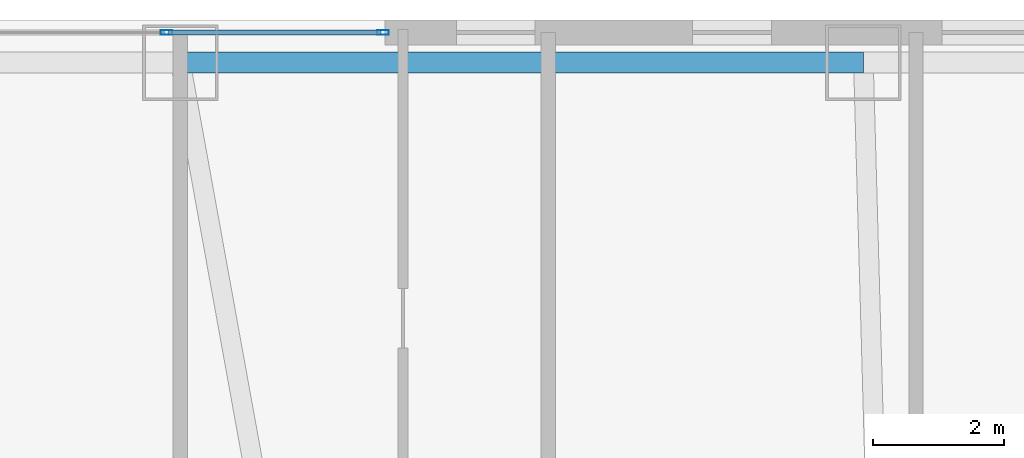
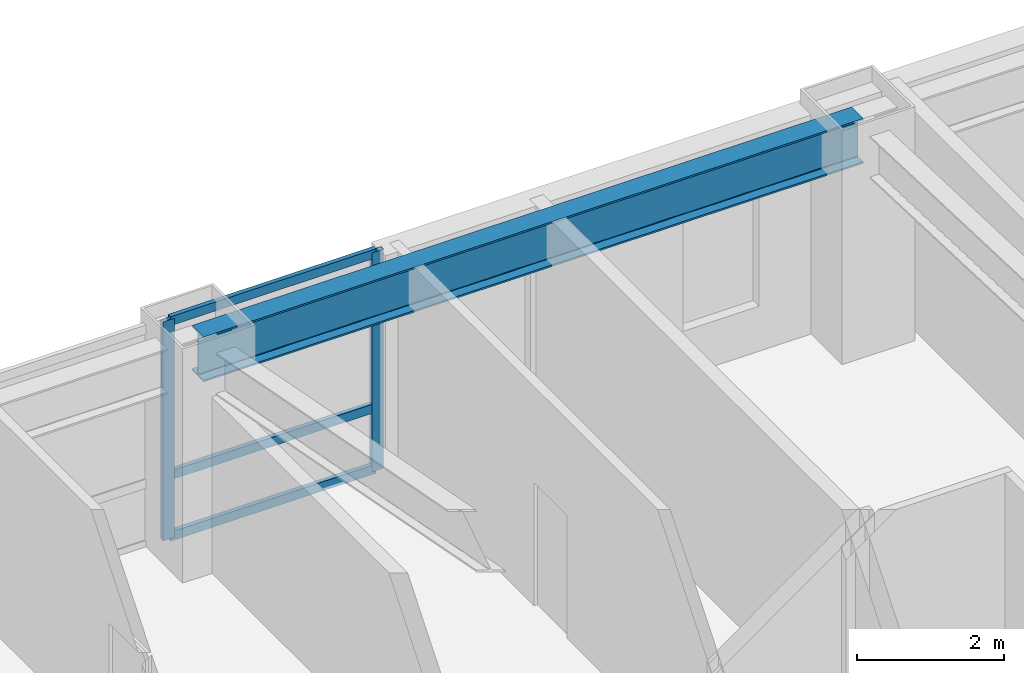
# One storey, part 18 of 28: 5 members, 1 beam, 1 element without a shape of its own.
"""IFC4 building model written with IfcOpenShell, lengths in metres."""

from ifc_helpers import new_model, si_unit, direction, frame, origin, origin_2d, place, context, subcontext, project, spatial, hollow_rectangle, i_section, extrude, material, layer, layer_set, material_profile, profile_set, type_object, element, aggregate, save


model = new_model("IFC4")

# Units and contexts
model_context = context("Model", 3, precision=1e-05, world=origin(), true_north=direction((0.0, 1.0)))
body_context = subcontext(model_context, "Body", "Model", "MODEL_VIEW")
ifc_project = project(units=[si_unit("LENGTHUNIT", "METRE"), si_unit("AREAUNIT", "SQUARE_METRE"), si_unit("VOLUMEUNIT", "CUBIC_METRE"), si_unit("PLANEANGLEUNIT", "RADIAN"), si_unit("MASSUNIT", "GRAM", prefix="KILO")], contexts=[model_context])

# Site, building, storey
site_placement = place(None, origin())
site = spatial("IfcSite", under=ifc_project, at=site_placement, CompositionType="ELEMENT")
building_placement = place(site_placement, origin())
building = spatial("IfcBuilding", under=site, at=building_placement, Name="Voryun Gate Residences", CompositionType="ELEMENT")
storey_placement = place(building_placement, frame((0.0, 0.0, 61.10009765625)))
storey = spatial("IfcBuildingStorey", under=building, at=storey_placement, Name="L14", CompositionType="ELEMENT", Elevation=61.10009765625)

# Beam
ifc_material_1 = material(Name="Steel SM355", Category="steel")
ifc_material_profile_1 = material_profile(ifc_material_1, i_section(OverallWidth=0.320068359375, OverallDepth=0.75, WebThickness=0.01611328125, FlangeThickness=0.028076171875, FilletRadius=0.01806640625, at=origin_2d()), Name="H-750x320x16x28")
ifc_profile_set_1 = profile_set([ifc_material_profile_1], Name="Steel SM355")
beam_type = type_object("IfcBeamType", Name="BM_EXO_SPANDREL_L", PredefinedType="SPANDREL", material=ifc_profile_set_1)
beam_placement = place(storey_placement, frame((12.0, 21.75, 3.27490234375), z_axis=(-1.0, 0.0, 0.0), x_axis=(0.0, -1.0, 0.0)))
element("IfcBeam", 1, at=beam_placement, inside=storey, type_object=beam_type, Name="BM-L14-SPAND-12", PredefinedType="SPANDREL", context=body_context, shape_type="SweptSolid", body=[
    extrude(i_section(OverallWidth=0.320068359375, OverallDepth=0.75, WebThickness=0.01611328125, FlangeThickness=0.028076171875, FilletRadius=0.01806640625, at=origin_2d()), origin(), (0.0, 0.0, 1.0), 10.39990234375),
])

# Curtain wall, members
ifc_material_2 = material(Name="Anodised aluminium", Category="aluminium")
ifc_layer = layer(ifc_material_2, 0.179931640625, Name="CW_SYS_RES_A_DARK_GLASS")
ifc_layer_set = layer_set([ifc_layer], Name="Anodised aluminium")
curtain_wall_type = type_object("IfcCurtainWallType", Name="CW_SYS_RES_A_DARK_GLASS", PredefinedType="NOTDEFINED", material=ifc_layer_set)
curtain_wall_placement = place(storey_placement, origin())
curtain_wall = element("IfcCurtainWall", 2, at=curtain_wall_placement, inside=storey, type_object=curtain_wall_type, Name="Curtain wall CWT-L14-11", PredefinedType="NOTDEFINED")
ifc_material_3 = material(Name="Anodised aluminium", Category="aluminium")
ifc_material_profile_2 = material_profile(ifc_material_3, hollow_rectangle(XDim=0.070068359375, YDim=0.179931640625, WallThickness=0.00390625, at=origin_2d()), Name="ALU-MULL-180x70x4")
ifc_profile_set_2 = profile_set([ifc_material_profile_2], Name="Anodised aluminium")
member_type_1 = type_object("IfcMemberType", Name="CW_MULL_RES", PredefinedType="MULLION", material=ifc_profile_set_2)
member_1_placement = place(storey_placement, frame((1.388427734375, 22.2099609375, 0.0), z_axis=(0.0, 0.0, 1.0), x_axis=(0.0, 1.0, 0.0)))
member_1 = element("IfcMember", 3, at=member_1_placement, type_object=member_type_1, Name="CW3 mullion 5", PredefinedType="MULLION", context=body_context, shape_type="SweptSolid", body=[
    extrude(hollow_rectangle(XDim=0.070068359375, YDim=0.179931640625, WallThickness=0.00390625, at=origin_2d()), origin(), (0.0, 0.0, 1.0), 3.64990234375),
])
member_2_placement = place(storey_placement, frame((4.68408203125, 22.2099609375, 0.0), z_axis=(0.0, 0.0, 1.0), x_axis=(0.0, 1.0, 0.0)))
member_2 = element("IfcMember", 4, at=member_2_placement, type_object=member_type_1, Name="CW3 mullion 6", PredefinedType="MULLION", context=body_context, shape_type="SweptSolid", body=[
    extrude(hollow_rectangle(XDim=0.070068359375, YDim=0.179931640625, WallThickness=0.00390625, at=origin_2d()), origin(), (0.0, 0.0, 1.0), 3.64990234375),
])
ifc_material_4 = material(Name="Anodised aluminium", Category="aluminium")
ifc_material_profile_3 = material_profile(ifc_material_4, hollow_rectangle(XDim=0.070068359375, YDim=0.14990234375, WallThickness=0.00390625, at=origin_2d()), Name="ALU-TRAN-150x70x4")
ifc_profile_set_3 = profile_set([ifc_material_profile_3], Name="Anodised aluminium")
member_type_2 = type_object("IfcMemberType", Name="CW_TRAN_RES", PredefinedType="USERDEFINED", material=ifc_profile_set_3)
member_3_placement = place(storey_placement, frame((1.41845703125, 22.2099609375, 0.02978515625), z_axis=(1.0, 0.0, 0.0), x_axis=(0.0, 1.0, 0.0)))
member_3 = element("IfcMember", 5, at=member_3_placement, type_object=member_type_2, Name="CW3 transom 5.1", ObjectType="TRANSOM", PredefinedType="USERDEFINED", context=body_context, shape_type="SweptSolid", body=[
    extrude(hollow_rectangle(XDim=0.070068359375, YDim=0.14990234375, WallThickness=0.00390625, at=origin_2d()), origin(), (0.0, 0.0, 1.0), 3.235595703125),
])
member_4_placement = place(storey_placement, frame((1.41845703125, 22.2099609375, 1.0498046875), z_axis=(1.0, 0.0, 0.0), x_axis=(0.0, 1.0, 0.0)))
member_4 = element("IfcMember", 6, at=member_4_placement, type_object=member_type_2, Name="CW3 transom 5.2", ObjectType="TRANSOM", PredefinedType="USERDEFINED", context=body_context, shape_type="SweptSolid", body=[
    extrude(hollow_rectangle(XDim=0.070068359375, YDim=0.14990234375, WallThickness=0.00390625, at=origin_2d()), origin(), (0.0, 0.0, 1.0), 3.235595703125),
])
member_5_placement = place(storey_placement, frame((1.41845703125, 22.2099609375, 3.619873046875), z_axis=(1.0, 0.0, 0.0), x_axis=(0.0, 1.0, 0.0)))
member_5 = element("IfcMember", 7, at=member_5_placement, type_object=member_type_2, Name="CW3 transom 5.3", ObjectType="TRANSOM", PredefinedType="USERDEFINED", context=body_context, shape_type="SweptSolid", body=[
    extrude(hollow_rectangle(XDim=0.070068359375, YDim=0.14990234375, WallThickness=0.00390625, at=origin_2d()), origin(), (0.0, 0.0, 1.0), 3.235595703125),
])
aggregate(curtain_wall, [member_1, member_2, member_3, member_4, member_5])

save(model, "model.ifc")
